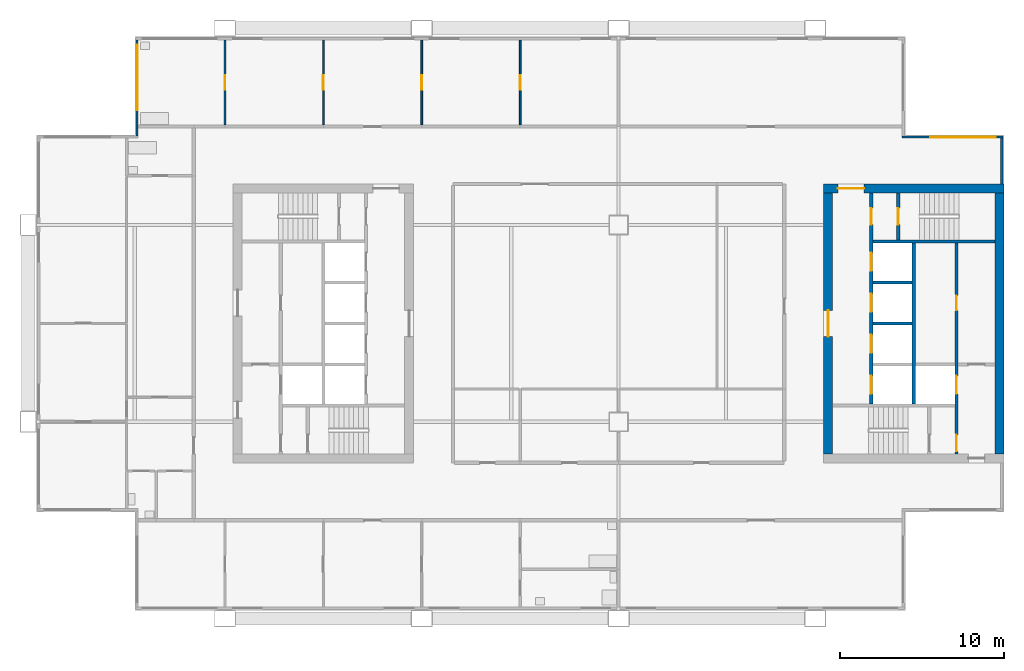
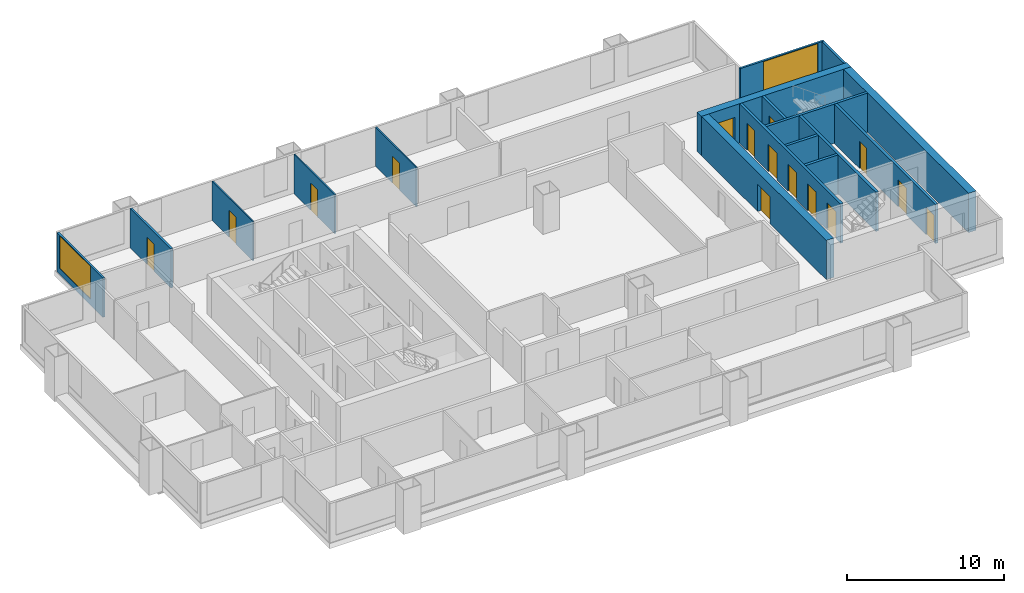
# One storey, part 5 of 8: 17 walls, 15 doors, 2 windows, 17 openings.
"""IFC4 building model written with IfcOpenShell, lengths in metres."""

from ifc_helpers import new_model, si_unit, direction, frame, frame_2d, origin, place, context, subcontext, project, spatial, rectangle, extrude, material, layer, layer_set, type_object, element, fill, save


model = new_model("IFC4")

# Units and contexts
model_context = context("Model", 3, precision=1e-05, world=origin(), true_north=direction((0.0, 1.0)))
body_context = subcontext(model_context, "Body", "Model", "MODEL_VIEW")
ifc_project = project(units=[si_unit("LENGTHUNIT", "METRE"), si_unit("AREAUNIT", "SQUARE_METRE"), si_unit("VOLUMEUNIT", "CUBIC_METRE"), si_unit("PLANEANGLEUNIT", "RADIAN"), si_unit("MASSUNIT", "GRAM", prefix="KILO")], contexts=[model_context])

# Site, building, storey
site_placement = place(None, origin())
site = spatial("IfcSite", under=ifc_project, at=site_placement, CompositionType="ELEMENT")
building_placement = place(site_placement, origin())
building = spatial("IfcBuilding", under=site, at=building_placement, Name="Kitamizu Gate Tower and Museum", CompositionType="ELEMENT")
storey_placement = place(building_placement, frame((0.0, 0.0, 161.699951171875)))
storey = spatial("IfcBuildingStorey", under=building, at=storey_placement, Name="L42", CompositionType="ELEMENT", Elevation=161.699951171875)

# Wall, opening, door
ifc_material_1 = material(Name="Concrete Fc42", Category="concrete")
ifc_layer_1 = layer(ifc_material_1, 0.550048828125)
ifc_layer_set_1 = layer_set([ifc_layer_1], Name="Concrete Fc42")
wall_type_1 = type_object("IfcWallType", Name="Core wall 550", PredefinedType="SHEAR", material=ifc_layer_set_1)
wall_1_placement = place(storey_placement, frame((59.5, 38.22509765625, 0.0), z_axis=(0.0, 0.0, 1.0), x_axis=(-1.0, 0.0, 0.0)))
wall_1 = element("IfcWall", 1, at=wall_1_placement, inside=storey, type_object=wall_type_1, Name="Core wall EN", PredefinedType="SHEAR", context=body_context, shape_type="SweptSolid", body=[
    extrude(rectangle(XDim=11.0, YDim=0.550048828125, at=frame_2d((5.5, 0.0))), origin(), (0.0, 0.0, 1.0), 3.050048828125),
])
opening_1_placement = place(wall_1_placement, frame((8.52490234375, 0.0, 0.0)))
opening_1 = element("IfcOpeningElement", 2, at=opening_1_placement, cuts=wall_1, Name="Opening L42-043", PredefinedType="OPENING", context=body_context, shape_type="SweptSolid", body=[
    extrude(rectangle(XDim=1.60009765625, YDim=2.10009765625, at=frame_2d((0.800048828125, 1.050048828125))), frame((0.0, 0.28515625, 0.0), z_axis=(0.0, -1.0, 0.0), x_axis=(1.0, 0.0, 0.0)), (0.0, 0.0, 1.0), 0.570068359375),
])
ifc_material_2 = material(Name="Timber door set", Category="wood")
door_type_1 = type_object("IfcDoorType", Name="Entrance door 1600", OperationType="DOUBLE_DOOR_SINGLE_SWING", PredefinedType="DOOR", material=ifc_material_2)
door_1_placement = place(opening_1_placement, origin())
door_1 = element("IfcDoor", 3, at=door_1_placement, inside=storey, type_object=door_type_1, Name="Lobby door L42-043", OperationType="DOUBLE_DOOR_SINGLE_SWING", OverallHeight=2.10009765625, OverallWidth=1.60009765625, PredefinedType="DOOR", context=body_context, shape_type="SweptSolid", body=[
    extrude(rectangle(XDim=1.60009765625, YDim=2.10009765625, at=frame_2d((0.800048828125, 1.050048828125))), frame((0.0, 0.02490234375, 0.0), z_axis=(0.0, -1.0, 0.0), x_axis=(1.0, 0.0, 0.0)), (0.0, 0.0, 1.0), 0.050048828125),
])
fill(opening_1, door_1)

# Wall
wall_2_placement = place(storey_placement, frame((59.22509765625, 22.050048828125, 0.0), z_axis=(0.0, 0.0, 1.0), x_axis=(0.0, 1.0, 0.0)))
element("IfcWall", 4, at=wall_2_placement, inside=storey, type_object=wall_type_1, Name="Core wall EOUT", PredefinedType="SHEAR", context=body_context, shape_type="SweptSolid", body=[
    extrude(rectangle(XDim=15.89990234375, YDim=0.550048828125, at=frame_2d((7.949951171875, 0.0))), origin(), (0.0, 0.0, 1.0), 3.050048828125),
])

# Wall, opening, door
wall_3_placement = place(storey_placement, frame((48.77490234375, 22.050048828125, 0.0), z_axis=(0.0, 0.0, 1.0), x_axis=(0.0, 1.0, 0.0)))
wall_3 = element("IfcWall", 5, at=wall_3_placement, inside=storey, type_object=wall_type_1, Name="Core wall EARC", PredefinedType="SHEAR", context=body_context, shape_type="SweptSolid", body=[
    extrude(rectangle(XDim=15.89990234375, YDim=0.550048828125, at=frame_2d((7.949951171875, 0.0))), origin(), (0.0, 0.0, 1.0), 3.050048828125),
])
opening_2_placement = place(wall_3_placement, frame((7.14990234375, 0.0, 0.0)))
opening_2 = element("IfcOpeningElement", 6, at=opening_2_placement, cuts=wall_3, Name="Opening L42-044", PredefinedType="OPENING", context=body_context, shape_type="SweptSolid", body=[
    extrude(rectangle(XDim=1.60009765625, YDim=2.10009765625, at=frame_2d((0.800048828125, 1.050048828125))), frame((0.0, 0.28515625, 0.0), z_axis=(0.0, -1.0, 0.0), x_axis=(1.0, 0.0, 0.0)), (0.0, 0.0, 1.0), 0.570068359375),
])
door_2_placement = place(opening_2_placement, origin())
door_2 = element("IfcDoor", 7, at=door_2_placement, inside=storey, type_object=door_type_1, Name="Lobby door L42-044", OperationType="DOUBLE_DOOR_SINGLE_SWING", OverallHeight=2.10009765625, OverallWidth=1.60009765625, PredefinedType="DOOR", context=body_context, shape_type="SweptSolid", body=[
    extrude(rectangle(XDim=1.60009765625, YDim=2.10009765625, at=frame_2d((0.800048828125, 1.050048828125))), frame((0.0, 0.02490234375, 0.0), z_axis=(0.0, -1.0, 0.0), x_axis=(1.0, 0.0, 0.0)), (0.0, 0.0, 1.0), 0.050048828125),
])
fill(opening_2, door_2)

ifc_material_3 = material(Name="Gypsum board on galvanised stud")
ifc_layer_2 = layer(ifc_material_3, 0.10009765625)
ifc_layer_set_2 = layer_set([ifc_layer_2], Name="Gypsum board on galvanised stud")
wall_type_2 = type_object("IfcWallType", Name="Partition 100 NOT RATED", PredefinedType="PARTITIONING", material=ifc_layer_set_2)
wall_4_placement = place(storey_placement, frame((18.0, 42.10009765625, 0.0), z_axis=(0.0, 0.0, 1.0), x_axis=(0.0, 1.0, 0.0)))
wall_4 = element("IfcWall", 8, at=wall_4_placement, inside=storey, type_object=wall_type_2, Name="Partition L42-019", PredefinedType="PARTITIONING", context=body_context, shape_type="SweptSolid", body=[
    extrude(rectangle(XDim=5.179931640625, YDim=0.10009765625, at=frame_2d((2.58984375, 0.0))), origin(), (0.0, 0.0, 1.0), 3.050048828125),
])
opening_3_placement = place(wall_4_placement, frame((2.139892578125, 0.0, 0.0)))
opening_3 = element("IfcOpeningElement", 9, at=opening_3_placement, cuts=wall_4, Name="Opening L42-008", PredefinedType="OPENING", context=body_context, shape_type="SweptSolid", body=[
    extrude(rectangle(XDim=0.89990234375, YDim=2.10009765625, at=frame_2d((0.449951171875, 1.050048828125))), frame((0.0, 0.06005859375, 0.0), z_axis=(0.0, -1.0, 0.0), x_axis=(1.0, 0.0, 0.0)), (0.0, 0.0, 1.0), 0.1201171875),
])
ifc_material_4 = material(Name="Timber door set", Category="wood")
door_type_2 = type_object("IfcDoorType", Name="Room door 900", OperationType="NOTDEFINED", PredefinedType="DOOR", material=ifc_material_4)
door_3_placement = place(opening_3_placement, origin())
door_3 = element("IfcDoor", 10, at=door_3_placement, inside=storey, type_object=door_type_2, Name="Door L42-008", OperationType="SINGLE_SWING_LEFT", OverallHeight=2.10009765625, OverallWidth=0.89990234375, PredefinedType="DOOR", context=body_context, shape_type="SweptSolid", body=[
    extrude(rectangle(XDim=0.89990234375, YDim=2.10009765625, at=frame_2d((0.449951171875, 1.050048828125))), frame((0.0, 0.02490234375, 0.0), z_axis=(0.0, -1.0, 0.0), x_axis=(1.0, 0.0, 0.0)), (0.0, 0.0, 1.0), 0.050048828125),
])
fill(opening_3, door_3)

wall_5_placement = place(storey_placement, frame((24.0, 42.10009765625, 0.0), z_axis=(0.0, 0.0, 1.0), x_axis=(0.0, 1.0, 0.0)))
wall_5 = element("IfcWall", 11, at=wall_5_placement, inside=storey, type_object=wall_type_2, Name="Partition L42-021", PredefinedType="PARTITIONING", context=body_context, shape_type="SweptSolid", body=[
    extrude(rectangle(XDim=5.179931640625, YDim=0.10009765625, at=frame_2d((2.58984375, 0.0))), origin(), (0.0, 0.0, 1.0), 3.050048828125),
])
opening_4_placement = place(wall_5_placement, frame((2.139892578125, 0.0, 0.0)))
opening_4 = element("IfcOpeningElement", 12, at=opening_4_placement, cuts=wall_5, Name="Opening L42-010", PredefinedType="OPENING", context=body_context, shape_type="SweptSolid", body=[
    extrude(rectangle(XDim=0.89990234375, YDim=2.10009765625, at=frame_2d((0.449951171875, 1.050048828125))), frame((0.0, 0.06005859375, 0.0), z_axis=(0.0, -1.0, 0.0), x_axis=(1.0, 0.0, 0.0)), (0.0, 0.0, 1.0), 0.1201171875),
])
door_4_placement = place(opening_4_placement, frame((0.89990234375, 0.0, 0.0), x_axis=(-1.0, 0.0, 0.0)))
door_4 = element("IfcDoor", 13, at=door_4_placement, inside=storey, type_object=door_type_2, Name="Door L42-010", OperationType="SINGLE_SWING_RIGHT", OverallHeight=2.10009765625, OverallWidth=0.89990234375, PredefinedType="DOOR", context=body_context, shape_type="SweptSolid", body=[
    extrude(rectangle(XDim=0.89990234375, YDim=2.10009765625, at=frame_2d((0.449951171875, 1.050048828125))), frame((0.0, 0.02490234375, 0.0), z_axis=(0.0, -1.0, 0.0), x_axis=(1.0, 0.0, 0.0)), (0.0, 0.0, 1.0), 0.050048828125),
])
fill(opening_4, door_4)

wall_6_placement = place(storey_placement, frame((30.0, 42.10009765625, 0.0), z_axis=(0.0, 0.0, 1.0), x_axis=(0.0, 1.0, 0.0)))
wall_6 = element("IfcWall", 14, at=wall_6_placement, inside=storey, type_object=wall_type_2, Name="Partition L42-023", PredefinedType="PARTITIONING", context=body_context, shape_type="SweptSolid", body=[
    extrude(rectangle(XDim=5.179931640625, YDim=0.10009765625, at=frame_2d((2.58984375, 0.0))), origin(), (0.0, 0.0, 1.0), 3.050048828125),
])
opening_5_placement = place(wall_6_placement, frame((2.139892578125, 0.0, 0.0)))
opening_5 = element("IfcOpeningElement", 15, at=opening_5_placement, cuts=wall_6, Name="Opening L42-011", PredefinedType="OPENING", context=body_context, shape_type="SweptSolid", body=[
    extrude(rectangle(XDim=0.89990234375, YDim=2.10009765625, at=frame_2d((0.449951171875, 1.050048828125))), frame((0.0, 0.06005859375, 0.0), z_axis=(0.0, -1.0, 0.0), x_axis=(1.0, 0.0, 0.0)), (0.0, 0.0, 1.0), 0.1201171875),
])
door_5_placement = place(opening_5_placement, origin())
door_5 = element("IfcDoor", 16, at=door_5_placement, inside=storey, type_object=door_type_2, Name="Door L42-011", OperationType="SINGLE_SWING_RIGHT", OverallHeight=2.10009765625, OverallWidth=0.89990234375, PredefinedType="DOOR", context=body_context, shape_type="SweptSolid", body=[
    extrude(rectangle(XDim=0.89990234375, YDim=2.10009765625, at=frame_2d((0.449951171875, 1.050048828125))), frame((0.0, 0.02490234375, 0.0), z_axis=(0.0, -1.0, 0.0), x_axis=(1.0, 0.0, 0.0)), (0.0, 0.0, 1.0), 0.050048828125),
])
fill(opening_5, door_5)

ifc_material_5 = material(Name="Gypsum board on galvanised stud")
ifc_layer_3 = layer(ifc_material_5, 0.14990234375)
ifc_layer_set_3 = layer_set([ifc_layer_3], Name="Gypsum board on galvanised stud")
wall_type_3 = type_object("IfcWallType", Name="Partition 150", PredefinedType="PARTITIONING", material=ifc_layer_set_3)
wall_7_placement = place(storey_placement, frame((12.0, 42.10009765625, 0.0), z_axis=(0.0, 0.0, 1.0), x_axis=(0.0, 1.0, 0.0)))
wall_7 = element("IfcWall", 17, at=wall_7_placement, inside=storey, type_object=wall_type_3, Name="Partition L42-016", PredefinedType="PARTITIONING", context=body_context, shape_type="SweptSolid", body=[
    extrude(rectangle(XDim=5.179931640625, YDim=0.14990234375, at=frame_2d((2.58984375, 0.0))), origin(), (0.0, 0.0, 1.0), 3.050048828125),
])
opening_6_placement = place(wall_7_placement, frame((2.139892578125, 0.0, 0.0)))
opening_6 = element("IfcOpeningElement", 18, at=opening_6_placement, cuts=wall_7, Name="Opening L42-009", PredefinedType="OPENING", context=body_context, shape_type="SweptSolid", body=[
    extrude(rectangle(XDim=0.89990234375, YDim=2.10009765625, at=frame_2d((0.449951171875, 1.050048828125))), frame((0.0, 0.0849609375, 0.0), z_axis=(0.0, -1.0, 0.0), x_axis=(1.0, 0.0, 0.0)), (0.0, 0.0, 1.0), 0.169921875),
])
ifc_material_6 = material(Name="Timber door set", Category="wood")
door_type_3 = type_object("IfcDoorType", Name="Bathroom door 900", OperationType="NOTDEFINED", PredefinedType="DOOR", material=ifc_material_6)
door_6_placement = place(opening_6_placement, origin())
door_6 = element("IfcDoor", 19, at=door_6_placement, inside=storey, type_object=door_type_3, Name="Bathroom door L42-009", OperationType="SINGLE_SWING_RIGHT", OverallHeight=2.10009765625, OverallWidth=0.89990234375, PredefinedType="DOOR", context=body_context, shape_type="SweptSolid", body=[
    extrude(rectangle(XDim=0.89990234375, YDim=2.10009765625, at=frame_2d((0.449951171875, 1.050048828125))), frame((0.0, 0.02490234375, 0.0), z_axis=(0.0, -1.0, 0.0), x_axis=(1.0, 0.0, 0.0)), (0.0, 0.0, 1.0), 0.050048828125),
])
fill(opening_6, door_6)

# Wall, openings, doors
ifc_material_7 = material(Name="Concrete Fc42", Category="concrete")
ifc_layer_4 = layer(ifc_material_7, 0.199951171875)
ifc_layer_set_4 = layer_set([ifc_layer_4], Name="Concrete Fc42")
wall_type_4 = type_object("IfcWallType", Name="Shaft wall 200", PredefinedType="SOLIDWALL", material=ifc_layer_set_4)
wall_8_placement = place(storey_placement, frame((56.60009765625, 22.050048828125, 0.0), z_axis=(0.0, 0.0, 1.0), x_axis=(0.0, 1.0, 0.0)))
wall_8 = element("IfcWall", 20, at=wall_8_placement, inside=storey, type_object=wall_type_4, Name="Shaft wall EWEST", PredefinedType="SOLIDWALL", context=body_context, shape_type="SweptSolid", body=[
    extrude(rectangle(XDim=12.849853515625, YDim=0.199951171875, at=frame_2d((6.4248046875, 0.0))), origin(), (0.0, 0.0, 1.0), 3.050048828125),
])
opening_7_placement = place(wall_8_placement, frame((3.64990234375, 0.0, 0.0)))
opening_7 = element("IfcOpeningElement", 21, at=opening_7_placement, cuts=wall_8, Name="Opening LD", PredefinedType="OPENING", context=body_context, shape_type="SweptSolid", body=[
    extrude(rectangle(XDim=1.10009765625, YDim=2.10009765625, at=frame_2d((0.550048828125, 1.050048828125))), frame((0.0, 0.10986328125, 0.0), z_axis=(0.0, -1.0, 0.0), x_axis=(1.0, 0.0, 0.0)), (0.0, 0.0, 1.0), 0.219970703125),
])
opening_8_placement = place(wall_8_placement, frame((0.14990234375, 0.0, 0.0)))
opening_8 = element("IfcOpeningElement", 22, at=opening_8_placement, cuts=wall_8, Name="Opening L42-038", PredefinedType="OPENING", context=body_context, shape_type="SweptSolid", body=[
    extrude(rectangle(XDim=1.0, YDim=2.10009765625, at=frame_2d((0.5, 1.050048828125))), frame((0.0, 0.10986328125, 0.0), z_axis=(0.0, -1.0, 0.0), x_axis=(1.0, 0.0, 0.0)), (0.0, 0.0, 1.0), 0.219970703125),
])
opening_9_placement = place(wall_8_placement, frame((8.75, 0.0, 0.0)))
opening_9 = element("IfcOpeningElement", 23, at=opening_9_placement, cuts=wall_8, Name="Opening L42-045", PredefinedType="OPENING", context=body_context, shape_type="SweptSolid", body=[
    extrude(rectangle(XDim=0.89990234375, YDim=2.10009765625, at=frame_2d((0.449951171875, 1.050048828125))), frame((0.0, 0.10986328125, 0.0), z_axis=(0.0, -1.0, 0.0), x_axis=(1.0, 0.0, 0.0)), (0.0, 0.0, 1.0), 0.219970703125),
])
ifc_material_8 = material(Name="Hollow metal door set")
door_type_4 = type_object("IfcDoorType", Name="Fire door 1000", OperationType="NOTDEFINED", PredefinedType="DOOR", material=ifc_material_8)
door_7_placement = place(opening_8_placement, origin())
door_7 = element("IfcDoor", 24, at=door_7_placement, inside=storey, type_object=door_type_4, Name="Stair lobby door L42-038", OperationType="SINGLE_SWING_RIGHT", OverallHeight=2.10009765625, OverallWidth=1.0, PredefinedType="DOOR", context=body_context, shape_type="SweptSolid", body=[
    extrude(rectangle(XDim=1.0, YDim=2.10009765625, at=frame_2d((0.5, 1.050048828125))), frame((0.0, 0.02490234375, 0.0), z_axis=(0.0, -1.0, 0.0), x_axis=(1.0, 0.0, 0.0)), (0.0, 0.0, 1.0), 0.050048828125),
])
fill(opening_8, door_7)
ifc_material_9 = material(Name="Hollow metal door set")
door_type_5 = type_object("IfcDoorType", Name="Landing door 1100", OperationType="SLIDING_TO_LEFT", PredefinedType="DOOR", material=ifc_material_9)
door_8_placement = place(opening_7_placement, origin())
door_8 = element("IfcDoor", 25, at=door_8_placement, inside=storey, type_object=door_type_5, Name="Landing door EFF1", OperationType="SLIDING_TO_LEFT", OverallHeight=2.10009765625, OverallWidth=1.10009765625, PredefinedType="DOOR", context=body_context, shape_type="SweptSolid", body=[
    extrude(rectangle(XDim=1.10009765625, YDim=2.10009765625, at=frame_2d((0.550048828125, 1.050048828125))), frame((0.0, 0.02490234375, 0.0), z_axis=(0.0, -1.0, 0.0), x_axis=(1.0, 0.0, 0.0)), (0.0, 0.0, 1.0), 0.050048828125),
])
fill(opening_7, door_8)
ifc_material_10 = material(Name="Timber door set", Category="wood")
door_type_6 = type_object("IfcDoorType", Name="Service door 900", OperationType="NOTDEFINED", PredefinedType="DOOR", material=ifc_material_10)
door_9_placement = place(opening_9_placement, origin())
door_9 = element("IfcDoor", 26, at=door_9_placement, inside=storey, type_object=door_type_6, Name="Service door L42-045", OperationType="SINGLE_SWING_RIGHT", OverallHeight=2.10009765625, OverallWidth=0.89990234375, PredefinedType="DOOR", context=body_context, shape_type="SweptSolid", body=[
    extrude(rectangle(XDim=0.89990234375, YDim=2.10009765625, at=frame_2d((0.449951171875, 1.050048828125))), frame((0.0, 0.02490234375, 0.0), z_axis=(0.0, -1.0, 0.0), x_axis=(1.0, 0.0, 0.0)), (0.0, 0.0, 1.0), 0.050048828125),
])
fill(opening_9, door_9)

wall_9_placement = place(storey_placement, frame((51.39990234375, 25.10009765625, 0.0), z_axis=(0.0, 0.0, 1.0), x_axis=(0.0, 1.0, 0.0)))
wall_9 = element("IfcWall", 27, at=wall_9_placement, inside=storey, type_object=wall_type_4, Name="Shaft wall EEAST", PredefinedType="SOLIDWALL", context=body_context, shape_type="SweptSolid", body=[
    extrude(rectangle(XDim=12.849853515625, YDim=0.199951171875, at=frame_2d((6.4248046875, 0.0))), origin(), (0.0, 0.0, 1.0), 3.050048828125),
])
opening_10_placement = place(wall_9_placement, frame((0.60009765625, 0.0, 0.0)))
opening_10 = element("IfcOpeningElement", 28, at=opening_10_placement, cuts=wall_9, Name="Opening LD", PredefinedType="OPENING", context=body_context, shape_type="SweptSolid", body=[
    extrude(rectangle(XDim=1.10009765625, YDim=2.10009765625, at=frame_2d((0.550048828125, 1.050048828125))), frame((0.0, 0.10986328125, 0.0), z_axis=(0.0, -1.0, 0.0), x_axis=(1.0, 0.0, 0.0)), (0.0, 0.0, 1.0), 0.219970703125),
])
opening_11_placement = place(wall_9_placement, frame((3.10009765625, 0.0, 0.0)))
opening_11 = element("IfcOpeningElement", 29, at=opening_11_placement, cuts=wall_9, Name="Opening LD", PredefinedType="OPENING", context=body_context, shape_type="SweptSolid", body=[
    extrude(rectangle(XDim=1.10009765625, YDim=2.10009765625, at=frame_2d((0.550048828125, 1.050048828125))), frame((0.0, 0.10986328125, 0.0), z_axis=(0.0, -1.0, 0.0), x_axis=(1.0, 0.0, 0.0)), (0.0, 0.0, 1.0), 0.219970703125),
])
opening_12_placement = place(wall_9_placement, frame((5.60009765625, 0.0, 0.0)))
opening_12 = element("IfcOpeningElement", 30, at=opening_12_placement, cuts=wall_9, Name="Opening LD", PredefinedType="OPENING", context=body_context, shape_type="SweptSolid", body=[
    extrude(rectangle(XDim=1.10009765625, YDim=2.10009765625, at=frame_2d((0.550048828125, 1.050048828125))), frame((0.0, 0.10986328125, 0.0), z_axis=(0.0, -1.0, 0.0), x_axis=(1.0, 0.0, 0.0)), (0.0, 0.0, 1.0), 0.219970703125),
])
opening_13_placement = place(wall_9_placement, frame((8.10009765625, 0.0, 0.0)))
opening_13 = element("IfcOpeningElement", 31, at=opening_13_placement, cuts=wall_9, Name="Opening LD", PredefinedType="OPENING", context=body_context, shape_type="SweptSolid", body=[
    extrude(rectangle(XDim=1.10009765625, YDim=2.10009765625, at=frame_2d((0.550048828125, 1.050048828125))), frame((0.0, 0.10986328125, 0.0), z_axis=(0.0, -1.0, 0.0), x_axis=(1.0, 0.0, 0.0)), (0.0, 0.0, 1.0), 0.219970703125),
])
opening_14_placement = place(wall_9_placement, frame((10.925048828125, 0.0, 0.0)))
opening_14 = element("IfcOpeningElement", 32, at=opening_14_placement, cuts=wall_9, Name="Opening L42-039", PredefinedType="OPENING", context=body_context, shape_type="SweptSolid", body=[
    extrude(rectangle(XDim=1.0, YDim=2.10009765625, at=frame_2d((0.5, 1.050048828125))), frame((0.0, 0.10986328125, 0.0), z_axis=(0.0, -1.0, 0.0), x_axis=(1.0, 0.0, 0.0)), (0.0, 0.0, 1.0), 0.219970703125),
])
door_10_placement = place(opening_14_placement, frame((1.0, 0.0, 0.0), x_axis=(-1.0, 0.0, 0.0)))
door_10 = element("IfcDoor", 33, at=door_10_placement, inside=storey, type_object=door_type_4, Name="Stair lobby door L42-039", OperationType="SINGLE_SWING_LEFT", OverallHeight=2.10009765625, OverallWidth=1.0, PredefinedType="DOOR", context=body_context, shape_type="SweptSolid", body=[
    extrude(rectangle(XDim=1.0, YDim=2.10009765625, at=frame_2d((0.5, 1.050048828125))), frame((0.0, 0.02490234375, 0.0), z_axis=(0.0, -1.0, 0.0), x_axis=(1.0, 0.0, 0.0)), (0.0, 0.0, 1.0), 0.050048828125),
])
fill(opening_14, door_10)
door_11_placement = place(opening_10_placement, origin())
door_11 = element("IfcDoor", 34, at=door_11_placement, inside=storey, type_object=door_type_5, Name="Landing door ESV1", OperationType="SLIDING_TO_LEFT", OverallHeight=2.10009765625, OverallWidth=1.10009765625, PredefinedType="DOOR", context=body_context, shape_type="SweptSolid", body=[
    extrude(rectangle(XDim=1.10009765625, YDim=2.10009765625, at=frame_2d((0.550048828125, 1.050048828125))), frame((0.0, 0.02490234375, 0.0), z_axis=(0.0, -1.0, 0.0), x_axis=(1.0, 0.0, 0.0)), (0.0, 0.0, 1.0), 0.050048828125),
])
fill(opening_10, door_11)
door_12_placement = place(opening_11_placement, origin())
door_12 = element("IfcDoor", 35, at=door_12_placement, inside=storey, type_object=door_type_5, Name="Landing door EH1", OperationType="SLIDING_TO_LEFT", OverallHeight=2.10009765625, OverallWidth=1.10009765625, PredefinedType="DOOR", context=body_context, shape_type="SweptSolid", body=[
    extrude(rectangle(XDim=1.10009765625, YDim=2.10009765625, at=frame_2d((0.550048828125, 1.050048828125))), frame((0.0, 0.02490234375, 0.0), z_axis=(0.0, -1.0, 0.0), x_axis=(1.0, 0.0, 0.0)), (0.0, 0.0, 1.0), 0.050048828125),
])
fill(opening_11, door_12)
door_13_placement = place(opening_12_placement, origin())
door_13 = element("IfcDoor", 36, at=door_13_placement, inside=storey, type_object=door_type_5, Name="Landing door EH2", OperationType="SLIDING_TO_LEFT", OverallHeight=2.10009765625, OverallWidth=1.10009765625, PredefinedType="DOOR", context=body_context, shape_type="SweptSolid", body=[
    extrude(rectangle(XDim=1.10009765625, YDim=2.10009765625, at=frame_2d((0.550048828125, 1.050048828125))), frame((0.0, 0.02490234375, 0.0), z_axis=(0.0, -1.0, 0.0), x_axis=(1.0, 0.0, 0.0)), (0.0, 0.0, 1.0), 0.050048828125),
])
fill(opening_12, door_13)
door_14_placement = place(opening_13_placement, origin())
door_14 = element("IfcDoor", 37, at=door_14_placement, inside=storey, type_object=door_type_5, Name="Landing door EH3", OperationType="SLIDING_TO_LEFT", OverallHeight=2.10009765625, OverallWidth=1.10009765625, PredefinedType="DOOR", context=body_context, shape_type="SweptSolid", body=[
    extrude(rectangle(XDim=1.10009765625, YDim=2.10009765625, at=frame_2d((0.550048828125, 1.050048828125))), frame((0.0, 0.02490234375, 0.0), z_axis=(0.0, -1.0, 0.0), x_axis=(1.0, 0.0, 0.0)), (0.0, 0.0, 1.0), 0.050048828125),
])
fill(opening_13, door_14)

# Walls
wall_10_placement = place(storey_placement, frame((54.0, 25.10009765625, 0.0), z_axis=(0.0, 0.0, 1.0), x_axis=(0.0, 1.0, 0.0)))
element("IfcWall", 38, at=wall_10_placement, inside=storey, type_object=wall_type_4, Name="Shaft wall EMID", PredefinedType="SOLIDWALL", context=body_context, shape_type="SweptSolid", body=[
    extrude(rectangle(XDim=9.7998046875, YDim=0.199951171875, at=frame_2d((4.89990234375, 0.0))), origin(), (0.0, 0.0, 1.0), 3.050048828125),
])
wall_11_placement = place(storey_placement, frame((58.949951171875, 35.0, 0.0), z_axis=(0.0, 0.0, 1.0), x_axis=(-1.0, 0.0, 0.0)))
element("IfcWall", 39, at=wall_11_placement, inside=storey, type_object=wall_type_4, Name="Shaft wall ENB", PredefinedType="SOLIDWALL", context=body_context, shape_type="SweptSolid", body=[
    extrude(rectangle(XDim=7.449951171875, YDim=0.199951171875, at=frame_2d((3.72509765625, 0.0))), origin(), (0.0, 0.0, 1.0), 3.050048828125),
])

# Wall, opening, door
wall_12_placement = place(storey_placement, frame((53.050048828125, 35.10009765625, 0.0), z_axis=(0.0, 0.0, 1.0), x_axis=(0.0, 1.0, 0.0)))
wall_12 = element("IfcWall", 40, at=wall_12_placement, inside=storey, type_object=wall_type_4, Name="Shaft wall ENZ", PredefinedType="SOLIDWALL", context=body_context, shape_type="SweptSolid", body=[
    extrude(rectangle(XDim=2.849853515625, YDim=0.199951171875, at=frame_2d((1.4248046875, 0.0))), origin(), (0.0, 0.0, 1.0), 3.050048828125),
])
opening_15_placement = place(wall_12_placement, frame((0.925048828125, 0.0, 0.0)))
opening_15 = element("IfcOpeningElement", 41, at=opening_15_placement, cuts=wall_12, Name="Opening L42-040", PredefinedType="OPENING", context=body_context, shape_type="SweptSolid", body=[
    extrude(rectangle(XDim=1.0, YDim=2.10009765625, at=frame_2d((0.5, 1.050048828125))), frame((0.0, 0.10986328125, 0.0), z_axis=(0.0, -1.0, 0.0), x_axis=(1.0, 0.0, 0.0)), (0.0, 0.0, 1.0), 0.219970703125),
])
door_15_placement = place(opening_15_placement, frame((1.0, 0.0, 0.0), x_axis=(-1.0, 0.0, 0.0)))
door_15 = element("IfcDoor", 42, at=door_15_placement, inside=storey, type_object=door_type_4, Name="Stair door L42-040", OperationType="SINGLE_SWING_RIGHT", OverallHeight=2.10009765625, OverallWidth=1.0, PredefinedType="DOOR", context=body_context, shape_type="SweptSolid", body=[
    extrude(rectangle(XDim=1.0, YDim=2.10009765625, at=frame_2d((0.5, 1.050048828125))), frame((0.0, 0.02490234375, 0.0), z_axis=(0.0, -1.0, 0.0), x_axis=(1.0, 0.0, 0.0)), (0.0, 0.0, 1.0), 0.050048828125),
])
fill(opening_15, door_15)

# Walls
for number, where, z_axis, x_axis, name in (
    (43, (53.89990234375, 30.0, 0.0), (0.0, 0.0, 1.0), (-1.0, 0.0, 0.0), "Shaft wall EDVE1"),
    (44, (53.89990234375, 32.5, 0.0), (0.0, 0.0, 1.0), (-1.0, 0.0, 0.0), "Shaft wall EDVE2"),
):
    element("IfcWall", number, at=place(storey_placement, frame(where, z_axis=z_axis, x_axis=x_axis)), inside=storey, type_object=wall_type_4, Name=name, PredefinedType="SOLIDWALL", context=body_context, shape_type="SweptSolid", body=[
        extrude(rectangle(XDim=2.39990234375, YDim=0.199951171875, at=frame_2d((1.199951171875, 0.0))), origin(), (0.0, 0.0, 1.0), 3.050048828125),
    ])
ifc_material_11 = material(Name="Bronze anodised aluminium frame with insulated spandrel and tinted glass", Category="aluminium")
ifc_layer_5 = layer(ifc_material_11, 0.14990234375)
ifc_layer_set_5 = layer_set([ifc_layer_5], Name="Bronze anodised aluminium frame with insulated spandrel and tinted glass")
wall_type_5 = type_object("IfcWallType", Name="WINDOW WALL 150 BRONZE FRAME EI 30", PredefinedType="ELEMENTEDWALL", material=ifc_layer_set_5)
wall_13_placement = place(storey_placement, frame((59.364990234375, 38.5, 0.0), z_axis=(0.0, 0.0, 1.0), x_axis=(0.0, 1.0, 0.0)))
element("IfcWall", 45, at=wall_13_placement, inside=storey, type_object=wall_type_5, Name="Window wall east L42", PredefinedType="ELEMENTEDWALL", context=body_context, shape_type="SweptSolid", body=[
    extrude(rectangle(XDim=2.7900390625, YDim=0.14990234375, at=frame_2d((1.39501953125, 0.0))), origin(), (0.0, 0.0, 1.0), 3.050048828125),
])

# Wall, opening, window
wall_14_placement = place(storey_placement, frame((53.2900390625, 41.364990234375, 0.0), z_axis=(0.0, 0.0, 1.0), x_axis=(1.0, 0.0, 0.0)))
wall_14 = element("IfcWall", 46, at=wall_14_placement, inside=storey, type_object=wall_type_5, Name="Window wall north L42", PredefinedType="ELEMENTEDWALL", context=body_context, shape_type="SweptSolid", body=[
    extrude(rectangle(XDim=6.14990234375, YDim=0.14990234375, at=frame_2d((3.074951171875, 0.0))), origin(), (0.0, 0.0, 1.0), 3.050048828125),
])
opening_16_placement = place(wall_14_placement, frame((1.7099609375, 0.0, 0.449951171875)))
opening_16 = element("IfcOpeningElement", 47, at=opening_16_placement, cuts=wall_14, Name="Opening W16", PredefinedType="OPENING", context=body_context, shape_type="SweptSolid", body=[
    extrude(rectangle(XDim=4.0, YDim=2.550048828125, at=frame_2d((2.0, 1.27490234375))), frame((0.0, 0.0849609375, 0.0), z_axis=(0.0, -1.0, 0.0), x_axis=(1.0, 0.0, 0.0)), (0.0, 0.0, 1.0), 0.169921875),
])
ifc_material_12 = material(Name="Bronze anodised aluminium frame, tinted triple glazing", Category="aluminium")
window_type = type_object("IfcWindowType", Name="WINDOW 4000 x 2550 SILL 450", PartitioningType="SINGLE_PANEL", PredefinedType="WINDOW", material=ifc_material_12)
window_1_placement = place(opening_16_placement, origin())
window_1 = element("IfcWindow", 48, at=window_1_placement, inside=storey, type_object=window_type, Name="Window W16 L42", OverallHeight=2.550048828125, OverallWidth=4.0, PartitioningType="SINGLE_PANEL", PredefinedType="WINDOW", context=body_context, shape_type="SweptSolid", body=[
    extrude(rectangle(XDim=4.0, YDim=2.550048828125, at=frame_2d((2.0, 1.27490234375))), frame((0.0, 0.030029296875, 0.0), z_axis=(0.0, -1.0, 0.0), x_axis=(1.0, 0.0, 0.0)), (0.0, 0.0, 1.0), 0.06005859375),
])
fill(opening_16, window_1)

wall_15_placement = place(storey_placement, frame((6.635009765625, 41.43994140625, 0.0), z_axis=(0.0, 0.0, 1.0), x_axis=(0.0, 1.0, 0.0)))
wall_15 = element("IfcWall", 49, at=wall_15_placement, inside=storey, type_object=wall_type_5, Name="Window wall west L42", PredefinedType="ELEMENTEDWALL", context=body_context, shape_type="SweptSolid", body=[
    extrude(rectangle(XDim=5.85009765625, YDim=0.14990234375, at=frame_2d((2.925048828125, 0.0))), origin(), (0.0, 0.0, 1.0), 3.050048828125),
])
opening_17_placement = place(wall_15_placement, frame((1.56005859375, 0.0, 0.449951171875)))
opening_17 = element("IfcOpeningElement", 50, at=opening_17_placement, cuts=wall_15, Name="Opening W16", PredefinedType="OPENING", context=body_context, shape_type="SweptSolid", body=[
    extrude(rectangle(XDim=4.0, YDim=2.550048828125, at=frame_2d((2.0, 1.27490234375))), frame((0.0, 0.0849609375, 0.0), z_axis=(0.0, -1.0, 0.0), x_axis=(1.0, 0.0, 0.0)), (0.0, 0.0, 1.0), 0.169921875),
])
window_2_placement = place(opening_17_placement, origin())
window_2 = element("IfcWindow", 51, at=window_2_placement, inside=storey, type_object=window_type, Name="Window W16 L42", OverallHeight=2.550048828125, OverallWidth=4.0, PartitioningType="SINGLE_PANEL", PredefinedType="WINDOW", context=body_context, shape_type="SweptSolid", body=[
    extrude(rectangle(XDim=4.0, YDim=2.550048828125, at=frame_2d((2.0, 1.27490234375))), frame((0.0, 0.030029296875, 0.0), z_axis=(0.0, -1.0, 0.0), x_axis=(1.0, 0.0, 0.0)), (0.0, 0.0, 1.0), 0.06005859375),
])
fill(opening_17, window_2)

save(model, "model.ifc")
